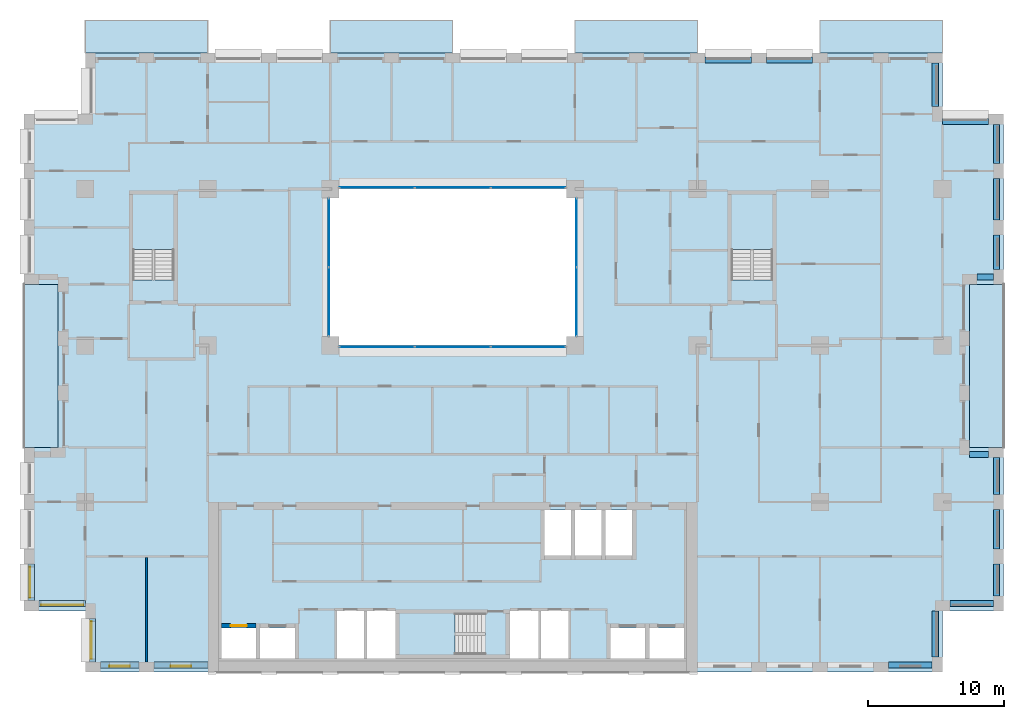
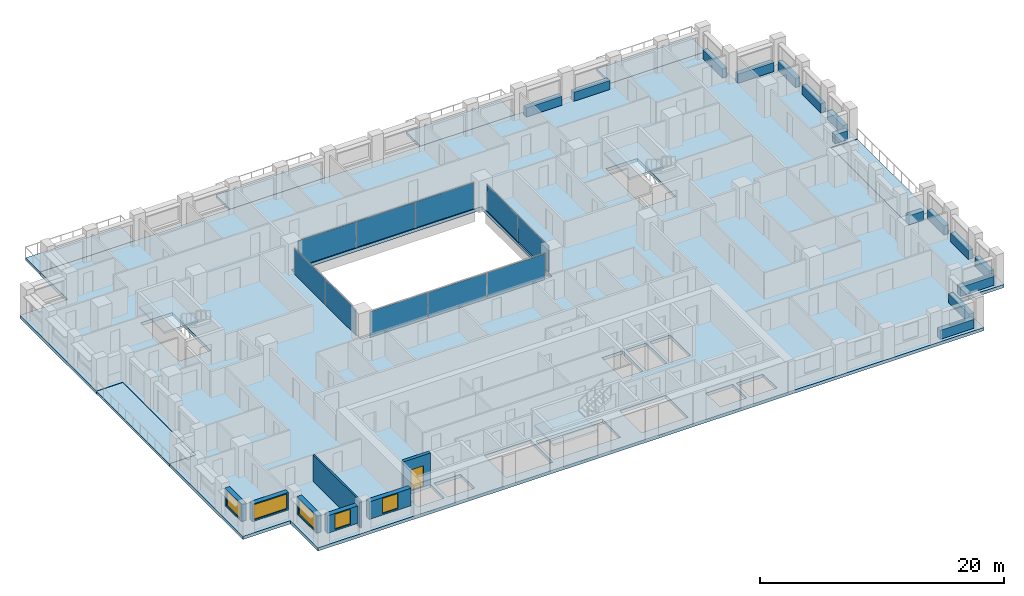
# One storey, part 7 of 17: 15 beams, 10 plates, 10 slabs, 7 walls, 5 windows, 1 door, 6 openings, 7 elements without a shape of their own.
"""IFC4 building model written with IfcOpenShell, lengths in metres."""

from ifc_helpers import new_model, si_unit, direction, frame, frame_2d, origin, origin_2d, place, context, subcontext, project, spatial, polyline, rectangle, outline, extrude, material, layer, layer_set, material_profile, profile_set, type_object, element, fill, aggregate, save


model = new_model("IFC4")

# Units and contexts
model_context = context("Model", 3, precision=1e-05, world=origin(), true_north=direction((0.0, 1.0)))
body_context = subcontext(model_context, "Body", "Model", "MODEL_VIEW")
ifc_project = project(units=[si_unit("LENGTHUNIT", "METRE"), si_unit("AREAUNIT", "SQUARE_METRE"), si_unit("VOLUMEUNIT", "CUBIC_METRE"), si_unit("PLANEANGLEUNIT", "RADIAN"), si_unit("MASSUNIT", "GRAM", prefix="KILO")], contexts=[model_context])

# Site, building, storey
site_placement = place(None, origin())
site = spatial("IfcSite", under=ifc_project, at=site_placement, CompositionType="ELEMENT")
building_placement = place(site_placement, origin())
building = spatial("IfcBuilding", under=site, at=building_placement, Name="Brigalow Station Residences", CompositionType="ELEMENT")
storey_placement = place(building_placement, frame((0.0, 0.0, 127.64990234375)))
storey = spatial("IfcBuildingStorey", under=building, at=storey_placement, Name="L37", CompositionType="ELEMENT", Elevation=127.64990234375)

# Beams
ifc_material_1 = material(Name="Concrete C65", Category="concrete")
ifc_material_profile = material_profile(ifc_material_1, rectangle(XDim=0.449951171875, YDim=0.89990234375, at=origin_2d()), Name="RC450x900")
ifc_profile_set = profile_set([ifc_material_profile], Name="Concrete C65")
beam_type = type_object("IfcBeamType", Name="SPANDREL BEAM 450x900 C65", PredefinedType="SPANDREL", material=ifc_profile_set)
beam_1_placement = place(storey_placement, frame((68.050048828125, 0.52490234375, 0.4501953125), z_axis=(1.0, 0.0, 0.0), x_axis=(0.0, 1.0, 0.0)))
element("IfcBeam", 1, at=beam_1_placement, inside=storey, type_object=beam_type, Name="L37/spandrel/W-L37-7", PredefinedType="SPANDREL", context=body_context, shape_type="SweptSolid", body=[
    extrude(rectangle(XDim=0.449951171875, YDim=0.89990234375, at=origin_2d()), origin(), (0.0, 0.0, 1.0), 3.199951171875),
])
beam_2_placement = place(storey_placement, frame((71.47509765625, 1.10009765625, 0.4501953125), z_axis=(0.0, 1.0, 0.0), x_axis=(-1.0, 0.0, 0.0)))
element("IfcBeam", 2, at=beam_2_placement, inside=storey, type_object=beam_type, Name="L37/spandrel/W-L37-8", PredefinedType="SPANDREL", context=body_context, shape_type="SweptSolid", body=[
    extrude(rectangle(XDim=0.449951171875, YDim=0.89990234375, at=origin_2d()), origin(), (0.0, 0.0, 1.0), 3.39990234375),
])
beam_3_placement = place(storey_placement, frame((72.550048828125, 5.02490234375, 0.4501953125), z_axis=(1.0, 0.0, 0.0), x_axis=(0.0, 1.0, 0.0)))
element("IfcBeam", 3, at=beam_3_placement, inside=storey, type_object=beam_type, Name="L37/spandrel/W-L37-9", PredefinedType="SPANDREL", context=body_context, shape_type="SweptSolid", body=[
    extrude(rectangle(XDim=0.449951171875, YDim=0.89990234375, at=origin_2d()), origin(), (0.0, 0.0, 1.0), 3.199951171875),
])
beam_4_placement = place(storey_placement, frame((75.97509765625, 5.60009765625, 0.4501953125), z_axis=(0.0, 1.0, 0.0), x_axis=(-1.0, 0.0, 0.0)))
element("IfcBeam", 4, at=beam_4_placement, inside=storey, type_object=beam_type, Name="L37/spandrel/W-L37-10", PredefinedType="SPANDREL", context=body_context, shape_type="SweptSolid", body=[
    extrude(rectangle(XDim=0.449951171875, YDim=0.89990234375, at=origin_2d()), origin(), (0.0, 0.0, 1.0), 2.349853515625),
])
beam_5_placement = place(storey_placement, frame((75.97509765625, 9.050048828125, 0.4501953125), z_axis=(0.0, 1.0, 0.0), x_axis=(-1.0, 0.0, 0.0)))
element("IfcBeam", 5, at=beam_5_placement, inside=storey, type_object=beam_type, Name="L37/spandrel/W-L37-11", PredefinedType="SPANDREL", context=body_context, shape_type="SweptSolid", body=[
    extrude(rectangle(XDim=0.449951171875, YDim=0.89990234375, at=origin_2d()), origin(), (0.0, 0.0, 1.0), 2.89990234375),
])
beam_6_placement = place(storey_placement, frame((75.97509765625, 13.050048828125, 0.4501953125), z_axis=(0.0, 1.0, 0.0), x_axis=(-1.0, 0.0, 0.0)))
element("IfcBeam", 6, at=beam_6_placement, inside=storey, type_object=beam_type, Name="L37/spandrel/W-L37-12", PredefinedType="SPANDREL", context=body_context, shape_type="SweptSolid", body=[
    extrude(rectangle(XDim=0.449951171875, YDim=0.89990234375, at=origin_2d()), origin(), (0.0, 0.0, 1.0), 2.699951171875),
])
beam_7_placement = place(storey_placement, frame((75.39990234375, 15.97509765625, 0.4501953125), z_axis=(-1.0, 0.0, 0.0), x_axis=(0.0, -1.0, 0.0)))
element("IfcBeam", 7, at=beam_7_placement, inside=storey, type_object=beam_type, Name="L37/spandrel/W-L37-13", PredefinedType="SPANDREL", context=body_context, shape_type="SweptSolid", body=[
    extrude(rectangle(XDim=0.449951171875, YDim=0.89990234375, at=origin_2d()), origin(), (0.0, 0.0, 1.0), 1.39990234375),
])
beam_8_placement = place(storey_placement, frame((74.550048828125, 29.02490234375, 0.4501953125), z_axis=(1.0, 0.0, 0.0), x_axis=(0.0, 1.0, 0.0)))
element("IfcBeam", 8, at=beam_8_placement, inside=storey, type_object=beam_type, Name="L37/spandrel/W-L37-17", PredefinedType="SPANDREL", context=body_context, shape_type="SweptSolid", body=[
    extrude(rectangle(XDim=0.449951171875, YDim=0.89990234375, at=origin_2d()), origin(), (0.0, 0.0, 1.0), 1.199951171875),
])
beam_9_placement = place(storey_placement, frame((75.97509765625, 29.60009765625, 0.4501953125), z_axis=(0.0, 1.0, 0.0), x_axis=(-1.0, 0.0, 0.0)))
element("IfcBeam", 9, at=beam_9_placement, inside=storey, type_object=beam_type, Name="L37/spandrel/W-L37-18", PredefinedType="SPANDREL", context=body_context, shape_type="SweptSolid", body=[
    extrude(rectangle(XDim=0.449951171875, YDim=0.89990234375, at=origin_2d()), origin(), (0.0, 0.0, 1.0), 2.516845703125),
])
beam_10_placement = place(storey_placement, frame((75.97509765625, 33.217041015625, 0.4501953125), z_axis=(0.0, 1.0, 0.0), x_axis=(-1.0, 0.0, 0.0)))
element("IfcBeam", 10, at=beam_10_placement, inside=storey, type_object=beam_type, Name="L37/spandrel/W-L37-19", PredefinedType="SPANDREL", context=body_context, shape_type="SweptSolid", body=[
    extrude(rectangle(XDim=0.449951171875, YDim=0.89990234375, at=origin_2d()), origin(), (0.0, 0.0, 1.0), 3.06591796875),
])
beam_11_placement = place(storey_placement, frame((75.97509765625, 37.383056640625, 0.4501953125), z_axis=(0.0, 1.0, 0.0), x_axis=(-1.0, 0.0, 0.0)))
element("IfcBeam", 11, at=beam_11_placement, inside=storey, type_object=beam_type, Name="L37/spandrel/W-L37-20", PredefinedType="SPANDREL", context=body_context, shape_type="SweptSolid", body=[
    extrude(rectangle(XDim=0.449951171875, YDim=0.89990234375, at=origin_2d()), origin(), (0.0, 0.0, 1.0), 2.866943359375),
])
beam_12_placement = place(storey_placement, frame((75.39990234375, 40.47509765625, 0.4501953125), z_axis=(-1.0, 0.0, 0.0), x_axis=(0.0, -1.0, 0.0)))
element("IfcBeam", 12, at=beam_12_placement, inside=storey, type_object=beam_type, Name="L37/spandrel/W-L37-21", PredefinedType="SPANDREL", context=body_context, shape_type="SweptSolid", body=[
    extrude(rectangle(XDim=0.449951171875, YDim=0.89990234375, at=origin_2d()), origin(), (0.0, 0.0, 1.0), 3.39990234375),
])
beam_13_placement = place(storey_placement, frame((71.47509765625, 41.550048828125, 0.4501953125), z_axis=(0.0, 1.0, 0.0), x_axis=(-1.0, 0.0, 0.0)))
element("IfcBeam", 13, at=beam_13_placement, inside=storey, type_object=beam_type, Name="L37/spandrel/W-L37-22", PredefinedType="SPANDREL", context=body_context, shape_type="SweptSolid", body=[
    extrude(rectangle(XDim=0.449951171875, YDim=0.89990234375, at=origin_2d()), origin(), (0.0, 0.0, 1.0), 3.199951171875),
])
for number, where, z_axis, x_axis, name in (
    (14, (62.449951171875, 44.97509765625, 0.4501953125), (-1.0, 0.0, 0.0), (0.0, -1.0, 0.0), "L37/spandrel/W-L37-25"),
    (15, (57.949951171875, 44.97509765625, 0.4501953125), (-1.0, 0.0, 0.0), (0.0, -1.0, 0.0), "L37/spandrel/W-L37-26"),
):
    element("IfcBeam", number, at=place(storey_placement, frame(where, z_axis=z_axis, x_axis=x_axis)), inside=storey, type_object=beam_type, Name=name, PredefinedType="SPANDREL", context=body_context, shape_type="SweptSolid", body=[
        extrude(rectangle(XDim=0.449951171875, YDim=0.89990234375, at=origin_2d()), origin(), (0.0, 0.0, 1.0), 3.39990234375),
    ])

# Curtain wall, plates
ifc_material_2 = material(Name="Aluminium", Category="aluminium")
ifc_layer_1 = layer(ifc_material_2, 0.14990234375)
ifc_layer_set_1 = layer_set([ifc_layer_1], Name="ATRIUM FIRE-RATED GLAZING CURTAIN WALL")
curtain_wall_type = type_object("IfcCurtainWallType", Name="ATRIUM FIRE-RATED GLAZING CURTAIN WALL", PredefinedType="NOTDEFINED", material=ifc_layer_set_1)
curtain_wall_1_placement = place(storey_placement, origin())
curtain_wall_1 = element("IfcCurtainWall", 16, at=curtain_wall_1_placement, inside=storey, type_object=curtain_wall_type, Name="L37/cw/atrium-S", PredefinedType="NOTDEFINED")
ifc_material_3 = material(Name="Fire-resisting laminated glazing, FRL -/60/-", Category="glass")
ifc_layer_2 = layer(ifc_material_3, 0.031982421875)
ifc_layer_set_2 = layer_set([ifc_layer_2], Name="ATRIUM FIRE-RATED GLAZING PANEL 32")
plate_type = type_object("IfcPlateType", Name="ATRIUM FIRE-RATED GLAZING PANEL 32", PredefinedType="CURTAIN_PANEL", material=ifc_layer_set_2)
plate_1_placement = place(storey_placement, frame((30.4482421875, 23.89990234375, 0.0), z_axis=(0.0, 0.0, 1.0), x_axis=(1.0, 0.0, 0.0)))
plate_1 = element("IfcPlate", 17, at=plate_1_placement, type_object=plate_type, Name="L37/cw/atrium-S/P00-00", PredefinedType="CURTAIN_PANEL", context=body_context, shape_type="SweptSolid", body=[
    extrude(rectangle(XDim=5.476806640625, YDim=0.031982421875, at=origin_2d()), origin(), (0.0, 0.0, 1.0), 2.590087890625),
])
plate_2_placement = place(storey_placement, frame((36.0, 23.89990234375, 0.0), z_axis=(0.0, 0.0, 1.0), x_axis=(1.0, 0.0, 0.0)))
plate_2 = element("IfcPlate", 18, at=plate_2_placement, type_object=plate_type, Name="L37/cw/atrium-S/P01-00", PredefinedType="CURTAIN_PANEL", context=body_context, shape_type="SweptSolid", body=[
    extrude(rectangle(XDim=5.506591796875, YDim=0.031982421875, at=origin_2d()), origin(), (0.0, 0.0, 1.0), 2.590087890625),
])
plate_3_placement = place(storey_placement, frame((41.5517578125, 23.89990234375, 0.0), z_axis=(0.0, 0.0, 1.0), x_axis=(1.0, 0.0, 0.0)))
plate_3 = element("IfcPlate", 19, at=plate_3_placement, type_object=plate_type, Name="L37/cw/atrium-S/P02-00", PredefinedType="CURTAIN_PANEL", context=body_context, shape_type="SweptSolid", body=[
    extrude(rectangle(XDim=5.476806640625, YDim=0.031982421875, at=origin_2d()), origin(), (0.0, 0.0, 1.0), 2.590087890625),
])
aggregate(curtain_wall_1, [plate_1, plate_2, plate_3])

curtain_wall_2_placement = place(storey_placement, origin())
curtain_wall_2 = element("IfcCurtainWall", 20, at=curtain_wall_2_placement, inside=storey, type_object=curtain_wall_type, Name="L37/cw/atrium-E", PredefinedType="NOTDEFINED")
plate_4_placement = place(storey_placement, frame((45.10009765625, 27.215087890625, 0.0), z_axis=(0.0, 0.0, 1.0), x_axis=(0.0, 1.0, 0.0)))
plate_4 = element("IfcPlate", 21, at=plate_4_placement, type_object=plate_type, Name="L37/cw/atrium-E/P00-00", PredefinedType="CURTAIN_PANEL", context=body_context, shape_type="SweptSolid", body=[
    extrude(rectangle(XDim=5.010009765625, YDim=0.031982421875, at=origin_2d()), origin(), (0.0, 0.0, 1.0), 2.590087890625),
])
plate_5_placement = place(storey_placement, frame((45.10009765625, 32.284912109375, 0.0), z_axis=(0.0, 0.0, 1.0), x_axis=(0.0, 1.0, 0.0)))
plate_5 = element("IfcPlate", 22, at=plate_5_placement, type_object=plate_type, Name="L37/cw/atrium-E/P01-00", PredefinedType="CURTAIN_PANEL", context=body_context, shape_type="SweptSolid", body=[
    extrude(rectangle(XDim=5.010009765625, YDim=0.031982421875, at=origin_2d()), origin(), (0.0, 0.0, 1.0), 2.590087890625),
])
aggregate(curtain_wall_2, [plate_4, plate_5])

curtain_wall_3_placement = place(storey_placement, origin())
curtain_wall_3 = element("IfcCurtainWall", 23, at=curtain_wall_3_placement, inside=storey, type_object=curtain_wall_type, Name="L37/cw/atrium-N", PredefinedType="NOTDEFINED")
plate_6_placement = place(storey_placement, frame((41.5517578125, 35.60009765625, 0.0), z_axis=(0.0, 0.0, 1.0), x_axis=(-1.0, 0.0, 0.0)))
plate_6 = element("IfcPlate", 24, at=plate_6_placement, type_object=plate_type, Name="L37/cw/atrium-N/P00-00", PredefinedType="CURTAIN_PANEL", context=body_context, shape_type="SweptSolid", body=[
    extrude(rectangle(XDim=5.476806640625, YDim=0.031982421875, at=origin_2d()), origin(), (0.0, 0.0, 1.0), 2.590087890625),
])
plate_7_placement = place(storey_placement, frame((36.0, 35.60009765625, 0.0), z_axis=(0.0, 0.0, 1.0), x_axis=(-1.0, 0.0, 0.0)))
plate_7 = element("IfcPlate", 25, at=plate_7_placement, type_object=plate_type, Name="L37/cw/atrium-N/P01-00", PredefinedType="CURTAIN_PANEL", context=body_context, shape_type="SweptSolid", body=[
    extrude(rectangle(XDim=5.506591796875, YDim=0.031982421875, at=origin_2d()), origin(), (0.0, 0.0, 1.0), 2.590087890625),
])
plate_8_placement = place(storey_placement, frame((30.4482421875, 35.60009765625, 0.0), z_axis=(0.0, 0.0, 1.0), x_axis=(-1.0, 0.0, 0.0)))
plate_8 = element("IfcPlate", 26, at=plate_8_placement, type_object=plate_type, Name="L37/cw/atrium-N/P02-00", PredefinedType="CURTAIN_PANEL", context=body_context, shape_type="SweptSolid", body=[
    extrude(rectangle(XDim=5.476806640625, YDim=0.031982421875, at=origin_2d()), origin(), (0.0, 0.0, 1.0), 2.590087890625),
])
aggregate(curtain_wall_3, [plate_6, plate_7, plate_8])

curtain_wall_4_placement = place(storey_placement, origin())
curtain_wall_4 = element("IfcCurtainWall", 27, at=curtain_wall_4_placement, inside=storey, type_object=curtain_wall_type, Name="L37/cw/atrium-W", PredefinedType="NOTDEFINED")
plate_9_placement = place(storey_placement, frame((26.89990234375, 32.284912109375, 0.0), z_axis=(0.0, 0.0, 1.0), x_axis=(0.0, -1.0, 0.0)))
plate_9 = element("IfcPlate", 28, at=plate_9_placement, type_object=plate_type, Name="L37/cw/atrium-W/P00-00", PredefinedType="CURTAIN_PANEL", context=body_context, shape_type="SweptSolid", body=[
    extrude(rectangle(XDim=5.010009765625, YDim=0.031982421875, at=origin_2d()), origin(), (0.0, 0.0, 1.0), 2.590087890625),
])
plate_10_placement = place(storey_placement, frame((26.89990234375, 27.215087890625, 0.0), z_axis=(0.0, 0.0, 1.0), x_axis=(0.0, -1.0, 0.0)))
plate_10 = element("IfcPlate", 29, at=plate_10_placement, type_object=plate_type, Name="L37/cw/atrium-W/P01-00", PredefinedType="CURTAIN_PANEL", context=body_context, shape_type="SweptSolid", body=[
    extrude(rectangle(XDim=5.010009765625, YDim=0.031982421875, at=origin_2d()), origin(), (0.0, 0.0, 1.0), 2.590087890625),
])
aggregate(curtain_wall_4, [plate_9, plate_10])

# Slabs
ifc_material_4 = material(Name="Concrete C50 precast", Category="concrete")
ifc_layer_3 = layer(ifc_material_4, 0.25)
ifc_layer_set_3 = layer_set([ifc_layer_3], Name="BALCONY SLAB 250")
slab_type_1 = type_object("IfcSlabType", Name="BALCONY SLAB 250", PredefinedType="USERDEFINED", material=ifc_layer_set_3)
slab_1_placement = place(storey_placement, frame((0.0, 0.0, -0.289794921875)))
element("IfcSlab", 30, at=slab_1_placement, inside=storey, type_object=slab_type_1, Name="L37/balcony/1", ObjectType="BALCONY", PredefinedType="USERDEFINED", context=body_context, shape_type="SweptSolid", body=[
    extrude(outline(polyline([(74.0, 16.5), (76.5, 16.5), (76.5, 28.5), (74.0, 28.5), (74.0, 16.5)])), origin(), (0.0, 0.0, 1.0), 0.25),
])
slab_2_placement = place(storey_placement, frame((0.0, 0.0, -0.289794921875)))
element("IfcSlab", 31, at=slab_2_placement, inside=storey, type_object=slab_type_1, Name="L37/balcony/2", ObjectType="BALCONY", PredefinedType="USERDEFINED", context=body_context, shape_type="SweptSolid", body=[
    extrude(outline(polyline([(72.0, 45.5), (72.0, 47.89990234375), (63.0, 47.89990234375), (63.0, 45.5), (72.0, 45.5)])), origin(), (0.0, 0.0, 1.0), 0.25),
])
slab_3_placement = place(storey_placement, frame((0.0, 0.0, -0.289794921875)))
element("IfcSlab", 32, at=slab_3_placement, inside=storey, type_object=slab_type_1, Name="L37/balcony/3", ObjectType="BALCONY", PredefinedType="USERDEFINED", context=body_context, shape_type="SweptSolid", body=[
    extrude(outline(polyline([(54.0, 45.5), (54.0, 47.89990234375), (45.0, 47.89990234375), (45.0, 45.5), (54.0, 45.5)])), origin(), (0.0, 0.0, 1.0), 0.25),
])
slab_4_placement = place(storey_placement, frame((0.0, 0.0, -0.289794921875)))
element("IfcSlab", 33, at=slab_4_placement, inside=storey, type_object=slab_type_1, Name="L37/balcony/4", ObjectType="BALCONY", PredefinedType="USERDEFINED", context=body_context, shape_type="SweptSolid", body=[
    extrude(outline(polyline([(36.0, 45.5), (36.0, 47.89990234375), (27.0, 47.89990234375), (27.0, 45.5), (36.0, 45.5)])), origin(), (0.0, 0.0, 1.0), 0.25),
])
slab_5_placement = place(storey_placement, frame((0.0, 0.0, -0.289794921875)))
element("IfcSlab", 34, at=slab_5_placement, inside=storey, type_object=slab_type_1, Name="L37/balcony/5", ObjectType="BALCONY", PredefinedType="USERDEFINED", context=body_context, shape_type="SweptSolid", body=[
    extrude(outline(polyline([(18.0, 45.5), (18.0, 47.89990234375), (9.0, 47.89990234375), (9.0, 45.5), (18.0, 45.5)])), origin(), (0.0, 0.0, 1.0), 0.25),
])
slab_6_placement = place(storey_placement, frame((0.0, 0.0, -0.289794921875)))
element("IfcSlab", 35, at=slab_6_placement, inside=storey, type_object=slab_type_1, Name="L37/balcony/6", ObjectType="BALCONY", PredefinedType="USERDEFINED", context=body_context, shape_type="SweptSolid", body=[
    extrude(outline(polyline([(7.0, 28.5), (4.5, 28.5), (4.5, 16.5), (7.0, 16.5), (7.0, 28.5)])), origin(), (0.0, 0.0, 1.0), 0.25),
])
ifc_material_5 = material(Name="Concrete C50", Category="concrete")
ifc_layer_4 = layer(ifc_material_5, 0.320068359375)
ifc_layer_set_4 = layer_set([ifc_layer_4], Name="POST-TENSIONED FLAT PLATE 320 C50")
slab_type_2 = type_object("IfcSlabType", Name="POST-TENSIONED FLAT PLATE 320 C50", PredefinedType="FLOOR", material=ifc_layer_set_4)
slab_7_placement = place(storey_placement, frame((0.0, 0.0, -0.31982421875)))
element("IfcSlab", 36, at=slab_7_placement, inside=storey, type_object=slab_type_2, Name="FLOOR SLAB L37", PredefinedType="FLOOR", context=body_context, shape_type="SweptSolid", body=[
    extrude(outline(polyline([(9.0, 0.0), (72.0, 0.0), (72.0, 4.5), (76.5, 4.5), (76.5, 16.5), (74.0, 16.5), (74.0, 28.5), (76.5, 28.5), (76.5, 41.0), (72.0, 41.0), (72.0, 45.5), (9.0, 45.5), (9.0, 41.0), (4.5, 41.0), (4.5, 28.5), (7.0, 28.5), (7.0, 16.5), (4.5, 16.5), (4.5, 4.5), (9.0, 4.5), (9.0, 0.0)]), holes=[polyline([(12.5048828125, 35.094970703125), (15.4951171875, 35.094970703125), (15.4951171875, 28.804931640625), (12.5048828125, 28.804931640625), (12.5048828125, 35.094970703125)]), polyline([(19.0, 1.0), (19.0, 3.25), (21.550048828125, 3.25), (21.550048828125, 1.0), (19.0, 1.0)]), polyline([(21.85009765625, 3.25), (24.39990234375, 3.25), (24.39990234375, 1.0), (21.85009765625, 1.0), (21.85009765625, 3.25)]), polyline([(27.0, 35.5), (45.0, 35.5), (45.0, 24.0), (27.0, 24.0), (27.0, 35.5)]), polyline([(29.60009765625, 4.60009765625), (31.800048828125, 4.60009765625), (31.800048828125, 1.0), (29.60009765625, 1.0), (27.39990234375, 1.0), (27.39990234375, 4.60009765625), (29.60009765625, 4.60009765625)]), polyline([(32.10498046875, 4.294921875), (38.39501953125, 4.294921875), (38.39501953125, 1.304931640625), (32.10498046875, 1.304931640625), (32.10498046875, 4.294921875)]), polyline([(40.199951171875, 4.60009765625), (42.39990234375, 4.60009765625), (44.60009765625, 4.60009765625), (44.60009765625, 1.0), (42.39990234375, 1.0), (40.199951171875, 1.0), (40.199951171875, 4.60009765625)]), polyline([(42.75, 11.89990234375), (44.699951171875, 11.89990234375), (44.699951171875, 8.550048828125), (42.75, 8.550048828125), (42.75, 11.89990234375)]), polyline([(45.0, 11.89990234375), (46.949951171875, 11.89990234375), (46.949951171875, 8.550048828125), (45.0, 8.550048828125), (45.0, 11.89990234375)]), polyline([(47.25, 11.89990234375), (49.199951171875, 11.89990234375), (49.199951171875, 8.550048828125), (47.25, 8.550048828125), (47.25, 11.89990234375)]), polyline([(47.60009765625, 3.25), (50.14990234375, 3.25), (50.14990234375, 1.0), (47.60009765625, 1.0), (47.60009765625, 3.25)]), polyline([(50.449951171875, 3.25), (53.0, 3.25), (53.0, 1.0), (50.449951171875, 1.0), (50.449951171875, 3.25)]), polyline([(56.5048828125, 35.094970703125), (59.4951171875, 35.094970703125), (59.4951171875, 28.804931640625), (56.5048828125, 28.804931640625), (56.5048828125, 35.094970703125)])]), origin(), (0.0, 0.0, 1.0), 0.31982421875),
])

# Stair, slab
ifc_material_6 = material(Name="Concrete C50", Category="concrete")
stair_type = type_object("IfcStairType", Name="EXIT STAIR 1400 2 FLIGHT", PredefinedType="HALF_TURN_STAIR", material=ifc_material_6)
stair_1_placement = place(storey_placement, origin())
stair_1 = element("IfcStair", 37, at=stair_1_placement, inside=storey, type_object=stair_type, Name="EXIT STAIR S2 L37", PredefinedType="HALF_TURN_STAIR")
ifc_material_7 = material(Name="Concrete C50", Category="concrete")
ifc_layer_5 = layer(ifc_material_7, 0.199951171875)
ifc_layer_set_5 = layer_set([ifc_layer_5], Name="STAIR LANDING 200")
slab_type_3 = type_object("IfcSlabType", Name="STAIR LANDING 200", PredefinedType="LANDING", material=ifc_layer_set_5)
slab_8_placement = place(storey_placement, frame((0.0, 0.0, 1.375)))
slab_8 = element("IfcSlab", 38, at=slab_8_placement, type_object=slab_type_3, Name="ST-2 landing 1", PredefinedType="LANDING", context=body_context, shape_type="SweptSolid", body=[
    extrude(outline(polyline([(32.0, 1.199951171875), (36.159912109375, 1.199951171875), (36.159912109375, 4.39990234375), (32.0, 4.39990234375), (32.0, 1.199951171875)])), origin(), (0.0, 0.0, 1.0), 0.2001953125),
])
aggregate(stair_1, [slab_8])

stair_2_placement = place(storey_placement, origin())
stair_2 = element("IfcStair", 39, at=stair_2_placement, inside=storey, type_object=stair_type, Name="EXIT STAIR S1 L37", PredefinedType="HALF_TURN_STAIR")
slab_9_placement = place(storey_placement, frame((0.0, 0.0, 1.375)))
slab_9 = element("IfcSlab", 40, at=slab_9_placement, type_object=slab_type_3, Name="ST-1 landing 1", PredefinedType="LANDING", context=body_context, shape_type="SweptSolid", body=[
    extrude(outline(polyline([(12.39990234375, 31.0400390625), (15.60009765625, 31.0400390625), (15.60009765625, 35.199951171875), (12.39990234375, 35.199951171875), (12.39990234375, 31.0400390625)])), origin(), (0.0, 0.0, 1.0), 0.2001953125),
])
aggregate(stair_2, [slab_9])

stair_3_placement = place(storey_placement, origin())
stair_3 = element("IfcStair", 41, at=stair_3_placement, inside=storey, type_object=stair_type, Name="EXIT STAIR S3 L37", PredefinedType="HALF_TURN_STAIR")
slab_10_placement = place(storey_placement, frame((0.0, 0.0, 1.375)))
slab_10 = element("IfcSlab", 42, at=slab_10_placement, type_object=slab_type_3, Name="ST-3 landing 1", PredefinedType="LANDING", context=body_context, shape_type="SweptSolid", body=[
    extrude(outline(polyline([(56.39990234375, 31.0400390625), (59.60009765625, 31.0400390625), (59.60009765625, 35.199951171875), (56.39990234375, 35.199951171875), (56.39990234375, 31.0400390625)])), origin(), (0.0, 0.0, 1.0), 0.2001953125),
])
aggregate(stair_3, [slab_10])

# Wall, opening, window
ifc_material_8 = material(Name="Clay brick masonry", Category="masonry")
ifc_layer_6 = layer(ifc_material_8, 0.449951171875)
ifc_layer_set_6 = layer_set([ifc_layer_6], Name="BRICK INFILL WALL 450")
wall_type_1 = type_object("IfcWallType", Name="BRICK INFILL WALL 450", PredefinedType="SOLIDWALL", material=ifc_layer_set_6)
wall_1_placement = place(storey_placement, frame((10.10009765625, 0.52490234375, 0.900146484375), z_axis=(0.0, 0.0, 1.0), x_axis=(1.0, 0.0, 0.0)))
wall_1 = element("IfcWall", 43, at=wall_1_placement, inside=storey, type_object=wall_type_1, Name="L37/ewall/W-L37-1", PredefinedType="SOLIDWALL", context=body_context, shape_type="SweptSolid", body=[
    extrude(rectangle(XDim=2.849853515625, YDim=0.449951171875, at=frame_2d((1.4248046875, 0.0))), origin(), (0.0, 0.0, 1.0), 1.75),
])
opening_1_placement = place(wall_1_placement, frame((0.675048828125, 0.0, 0.14990234375)))
opening_1 = element("IfcOpeningElement", 44, at=opening_1_placement, cuts=wall_1, Name="Opening WT-1", PredefinedType="OPENING", context=body_context, shape_type="SweptSolid", body=[
    extrude(rectangle(XDim=1.5, YDim=1.5, at=frame_2d((0.75, 0.75))), frame((0.0, 0.23486328125, 0.0), z_axis=(0.0, -1.0, 0.0), x_axis=(1.0, 0.0, 0.0)), (0.0, 0.0, 1.0), 0.469970703125),
])
ifc_material_9 = material(Name="Anodised aluminium frame with double glazing", Category="aluminium")
window_type_1 = type_object("IfcWindowType", Name="WINDOW 1500x1500", PartitioningType="SINGLE_PANEL", PredefinedType="WINDOW", material=ifc_material_9)
window_1_placement = place(opening_1_placement, origin())
window_1 = element("IfcWindow", 45, at=window_1_placement, inside=storey, type_object=window_type_1, Name="L37/window/W-L37-1", OverallHeight=1.5, OverallWidth=1.5, PartitioningType="SINGLE_PANEL", PredefinedType="WINDOW", context=body_context, shape_type="SweptSolid", body=[
    extrude(rectangle(XDim=1.5, YDim=1.5, at=frame_2d((0.75, 0.75))), frame((0.0, -0.06494140625, 0.0), z_axis=(0.0, -1.0, 0.0), x_axis=(1.0, 0.0, 0.0)), (0.0, 0.0, 1.0), 0.06005859375),
])
fill(opening_1, window_1)

wall_2_placement = place(storey_placement, frame((14.050048828125, 0.52490234375, 0.900146484375), z_axis=(0.0, 0.0, 1.0), x_axis=(1.0, 0.0, 0.0)))
wall_2 = element("IfcWall", 46, at=wall_2_placement, inside=storey, type_object=wall_type_1, Name="L37/ewall/W-L37-2", PredefinedType="SOLIDWALL", context=body_context, shape_type="SweptSolid", body=[
    extrude(rectangle(XDim=3.949951171875, YDim=0.449951171875, at=frame_2d((1.97509765625, 0.0))), origin(), (0.0, 0.0, 1.0), 1.75),
])
opening_2_placement = place(wall_2_placement, frame((1.22509765625, 0.0, 0.14990234375)))
opening_2 = element("IfcOpeningElement", 47, at=opening_2_placement, cuts=wall_2, Name="Opening WT-1", PredefinedType="OPENING", context=body_context, shape_type="SweptSolid", body=[
    extrude(rectangle(XDim=1.5, YDim=1.5, at=frame_2d((0.75, 0.75))), frame((0.0, 0.23486328125, 0.0), z_axis=(0.0, -1.0, 0.0), x_axis=(1.0, 0.0, 0.0)), (0.0, 0.0, 1.0), 0.469970703125),
])
window_2_placement = place(opening_2_placement, origin())
window_2 = element("IfcWindow", 48, at=window_2_placement, inside=storey, type_object=window_type_1, Name="L37/window/W-L37-2", OverallHeight=1.5, OverallWidth=1.5, PartitioningType="SINGLE_PANEL", PredefinedType="WINDOW", context=body_context, shape_type="SweptSolid", body=[
    extrude(rectangle(XDim=1.5, YDim=1.5, at=frame_2d((0.75, 0.75))), frame((0.0, -0.06494140625, 0.0), z_axis=(0.0, -1.0, 0.0), x_axis=(1.0, 0.0, 0.0)), (0.0, 0.0, 1.0), 0.06005859375),
])
fill(opening_2, window_2)

wall_3_placement = place(storey_placement, frame((5.02490234375, 7.949951171875, 0.900146484375), z_axis=(0.0, 0.0, 1.0), x_axis=(0.0, -1.0, 0.0)))
wall_3 = element("IfcWall", 49, at=wall_3_placement, inside=storey, type_object=wall_type_1, Name="L37/ewall/W-L37-49", PredefinedType="SOLIDWALL", context=body_context, shape_type="SweptSolid", body=[
    extrude(rectangle(XDim=2.699951171875, YDim=0.449951171875, at=frame_2d((1.35009765625, 0.0))), origin(), (0.0, 0.0, 1.0), 1.75),
])
opening_3_placement = place(wall_3_placement, frame((0.22509765625, 0.0, 0.14990234375)))
opening_3 = element("IfcOpeningElement", 50, at=opening_3_placement, cuts=wall_3, Name="Opening WT-6", PredefinedType="OPENING", context=body_context, shape_type="SweptSolid", body=[
    extrude(rectangle(XDim=2.25, YDim=1.5, at=frame_2d((1.125, 0.75))), frame((0.0, 0.23486328125, 0.0), z_axis=(0.0, -1.0, 0.0), x_axis=(1.0, 0.0, 0.0)), (0.0, 0.0, 1.0), 0.469970703125),
])
ifc_material_10 = material(Name="Anodised aluminium frame with double glazing", Category="aluminium")
window_type_2 = type_object("IfcWindowType", Name="WINDOW 2250x1500", PartitioningType="SINGLE_PANEL", PredefinedType="WINDOW", material=ifc_material_10)
window_3_placement = place(opening_3_placement, origin())
window_3 = element("IfcWindow", 51, at=window_3_placement, inside=storey, type_object=window_type_2, Name="L37/window/W-L37-49", OverallHeight=1.5, OverallWidth=2.25, PartitioningType="SINGLE_PANEL", PredefinedType="WINDOW", context=body_context, shape_type="SweptSolid", body=[
    extrude(rectangle(XDim=2.25, YDim=1.5, at=frame_2d((1.125, 0.75))), frame((0.0, -0.06494140625, 0.0), z_axis=(0.0, -1.0, 0.0), x_axis=(1.0, 0.0, 0.0)), (0.0, 0.0, 1.0), 0.06005859375),
])
fill(opening_3, window_3)

wall_4_placement = place(storey_placement, frame((5.60009765625, 5.02490234375, 0.900146484375), z_axis=(0.0, 0.0, 1.0), x_axis=(1.0, 0.0, 0.0)))
wall_4 = element("IfcWall", 52, at=wall_4_placement, inside=storey, type_object=wall_type_1, Name="L37/ewall/W-L37-50", PredefinedType="SOLIDWALL", context=body_context, shape_type="SweptSolid", body=[
    extrude(rectangle(XDim=3.39990234375, YDim=0.449951171875, at=frame_2d((1.699951171875, 0.0))), origin(), (0.0, 0.0, 1.0), 1.75),
])
opening_4_placement = place(wall_4_placement, frame((0.14990234375, 0.0, 0.14990234375)))
opening_4 = element("IfcOpeningElement", 53, at=opening_4_placement, cuts=wall_4, Name="Opening WT-8", PredefinedType="OPENING", context=body_context, shape_type="SweptSolid", body=[
    extrude(rectangle(XDim=3.10009765625, YDim=1.5, at=frame_2d((1.550048828125, 0.75))), frame((0.0, 0.23486328125, 0.0), z_axis=(0.0, -1.0, 0.0), x_axis=(1.0, 0.0, 0.0)), (0.0, 0.0, 1.0), 0.469970703125),
])
ifc_material_11 = material(Name="Anodised aluminium frame with double glazing", Category="aluminium")
window_type_3 = type_object("IfcWindowType", Name="WINDOW 3100x1500", PartitioningType="SINGLE_PANEL", PredefinedType="WINDOW", material=ifc_material_11)
window_4_placement = place(opening_4_placement, origin())
window_4 = element("IfcWindow", 54, at=window_4_placement, inside=storey, type_object=window_type_3, Name="L37/window/W-L37-50", OverallHeight=1.5, OverallWidth=3.10009765625, PartitioningType="SINGLE_PANEL", PredefinedType="WINDOW", context=body_context, shape_type="SweptSolid", body=[
    extrude(rectangle(XDim=3.10009765625, YDim=1.5, at=frame_2d((1.550048828125, 0.75))), frame((0.0, -0.06494140625, 0.0), z_axis=(0.0, -1.0, 0.0), x_axis=(1.0, 0.0, 0.0)), (0.0, 0.0, 1.0), 0.06005859375),
])
fill(opening_4, window_4)

wall_5_placement = place(storey_placement, frame((9.52490234375, 3.949951171875, 0.900146484375), z_axis=(0.0, 0.0, 1.0), x_axis=(0.0, -1.0, 0.0)))
wall_5 = element("IfcWall", 55, at=wall_5_placement, inside=storey, type_object=wall_type_1, Name="L37/ewall/W-L37-51", PredefinedType="SOLIDWALL", context=body_context, shape_type="SweptSolid", body=[
    extrude(rectangle(XDim=3.199951171875, YDim=0.449951171875, at=frame_2d((1.60009765625, 0.0))), origin(), (0.0, 0.0, 1.0), 1.75),
])
opening_5_placement = place(wall_5_placement, frame((0.22509765625, 0.0, 0.14990234375)))
opening_5 = element("IfcOpeningElement", 56, at=opening_5_placement, cuts=wall_5, Name="Opening WT-3", PredefinedType="OPENING", context=body_context, shape_type="SweptSolid", body=[
    extrude(rectangle(XDim=2.75, YDim=1.5, at=frame_2d((1.375, 0.75))), frame((0.0, 0.23486328125, 0.0), z_axis=(0.0, -1.0, 0.0), x_axis=(1.0, 0.0, 0.0)), (0.0, 0.0, 1.0), 0.469970703125),
])
ifc_material_12 = material(Name="Anodised aluminium frame with double glazing", Category="aluminium")
window_type_4 = type_object("IfcWindowType", Name="WINDOW 2750x1500", PartitioningType="SINGLE_PANEL", PredefinedType="WINDOW", material=ifc_material_12)
window_5_placement = place(opening_5_placement, origin())
window_5 = element("IfcWindow", 57, at=window_5_placement, inside=storey, type_object=window_type_4, Name="L37/window/W-L37-51", OverallHeight=1.5, OverallWidth=2.75, PartitioningType="SINGLE_PANEL", PredefinedType="WINDOW", context=body_context, shape_type="SweptSolid", body=[
    extrude(rectangle(XDim=2.75, YDim=1.5, at=frame_2d((1.375, 0.75))), frame((0.0, -0.06494140625, 0.0), z_axis=(0.0, -1.0, 0.0), x_axis=(1.0, 0.0, 0.0)), (0.0, 0.0, 1.0), 0.06005859375),
])
fill(opening_5, window_5)

# Wall, opening, door
ifc_material_13 = material(Name="Concrete C65", Category="concrete")
ifc_layer_7 = layer(ifc_material_13, 0.300048828125)
ifc_layer_set_7 = layer_set([ifc_layer_7], Name="CORE SHEAR WALL 300 C65")
wall_type_2 = type_object("IfcWallType", Name="CORE SHEAR WALL 300 C65", PredefinedType="SHEAR", material=ifc_layer_set_7)
wall_6_placement = place(storey_placement, frame((19.0, 3.39990234375, 0.0), z_axis=(0.0, 0.0, 1.0), x_axis=(1.0, 0.0, 0.0)))
wall_6 = element("IfcWall", 58, at=wall_6_placement, inside=storey, type_object=wall_type_2, Name="CORE WALL SH-C1-N L37", PredefinedType="SHEAR", context=body_context, shape_type="SweptSolid", body=[
    extrude(rectangle(XDim=2.550048828125, YDim=0.300048828125, at=frame_2d((1.27490234375, 0.0))), origin(), (0.0, 0.0, 1.0), 3.150146484375),
])
opening_6_placement = place(wall_6_placement, frame((0.675048828125, 0.0, 0.0)))
opening_6 = element("IfcOpeningElement", 59, at=opening_6_placement, cuts=wall_6, Name="Opening LD-LB1", PredefinedType="OPENING", context=body_context, shape_type="SweptSolid", body=[
    extrude(rectangle(XDim=1.199951171875, YDim=2.10009765625, at=frame_2d((0.60009765625, 1.050048828125))), frame((0.0, 0.16015625, 0.0), z_axis=(0.0, -1.0, 0.0), x_axis=(1.0, 0.0, 0.0)), (0.0, 0.0, 1.0), 0.320068359375),
])
ifc_material_14 = material(Name="Stainless steel sliding door leaves", Category="steel")
door_type = type_object("IfcDoorType", Name="LIFT LANDING DOOR 1200 x 2100", OperationType="DOUBLE_DOOR_SLIDING", PredefinedType="DOOR", material=ifc_material_14)
door_placement = place(opening_6_placement, origin())
door = element("IfcDoor", 60, at=door_placement, inside=storey, type_object=door_type, Name="LANDING DOOR LB1", OperationType="DOUBLE_DOOR_SLIDING", OverallHeight=2.10009765625, OverallWidth=1.199951171875, PredefinedType="DOOR", context=body_context, shape_type="SweptSolid", body=[
    extrude(rectangle(XDim=1.199951171875, YDim=2.10009765625, at=frame_2d((0.60009765625, 1.050048828125))), frame((0.0, 0.02490234375, 0.0), z_axis=(0.0, -1.0, 0.0), x_axis=(1.0, 0.0, 0.0)), (0.0, 0.0, 1.0), 0.050048828125),
])
fill(opening_6, door)

# Wall
ifc_material_15 = material(Name="Plasterboard on steel stud partition", Category="steel")
ifc_layer_8 = layer(ifc_material_15, 0.14990234375)
ifc_layer_set_8 = layer_set([ifc_layer_8], Name="FLAT PARTITION 150")
wall_type_3 = type_object("IfcWallType", Name="FLAT PARTITION 150", PredefinedType="PARTITIONING", material=ifc_layer_set_8)
wall_7_placement = place(storey_placement, frame((13.5, 0.75, 0.0), z_axis=(0.0, 0.0, 1.0), x_axis=(0.0, 1.0, 0.0)))
element("IfcWall", 61, at=wall_7_placement, inside=storey, type_object=wall_type_3, Name="PW-2F50", PredefinedType="PARTITIONING", context=body_context, shape_type="SweptSolid", body=[
    extrude(rectangle(XDim=7.675048828125, YDim=0.14990234375, at=frame_2d((3.83740234375, 0.0))), origin(), (0.0, 0.0, 1.0), 2.650146484375),
])

save(model, "model.ifc")
